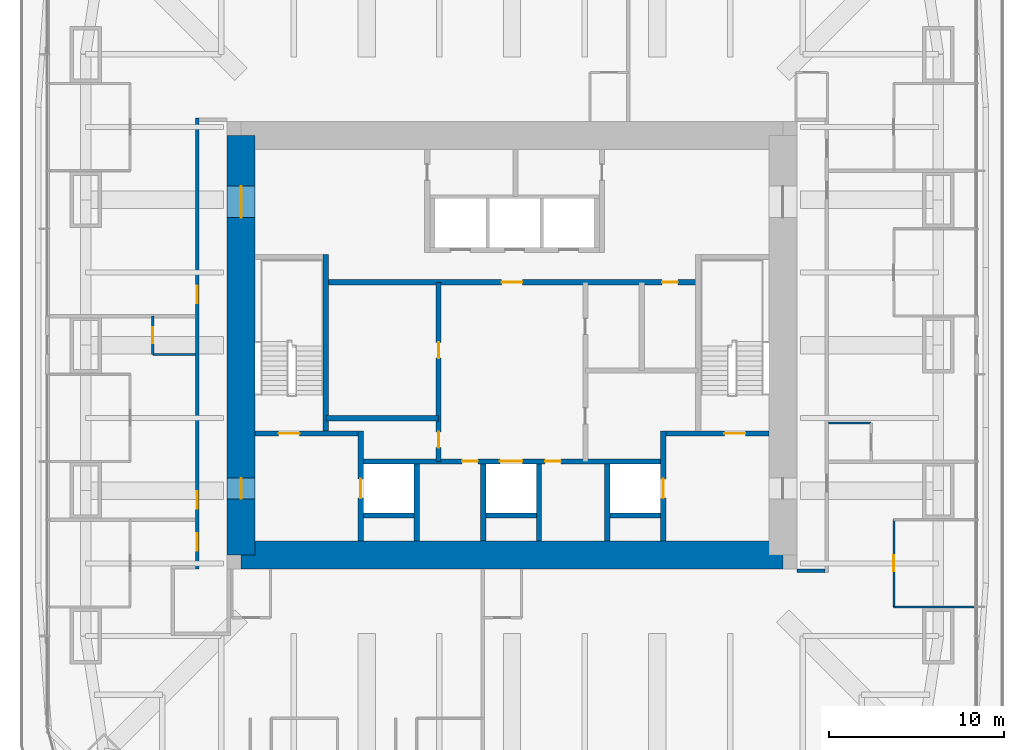
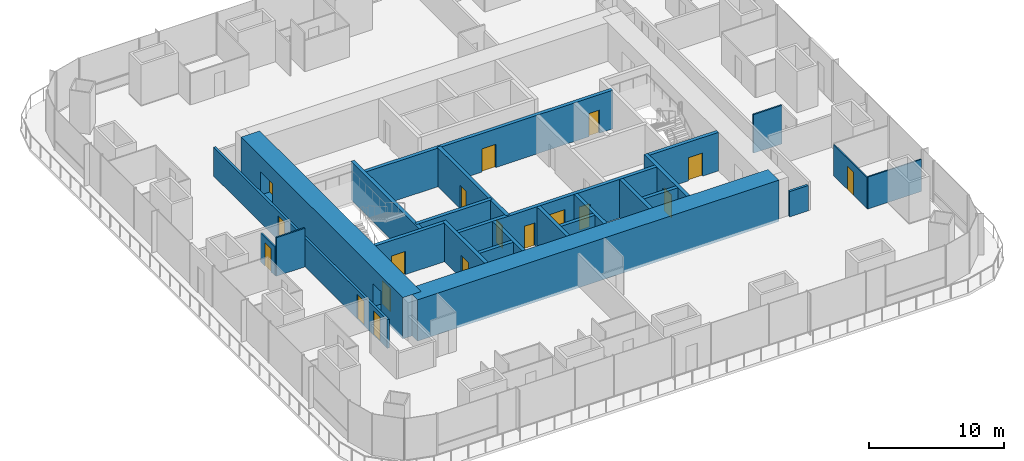
# One storey, part 9 of 15: 25 walls, 18 doors, 18 openings.
"""IFC4 building model written with IfcOpenShell, lengths in metres."""

from ifc_helpers import new_model, si_unit, direction, frame, frame_2d, origin, place, context, subcontext, project, spatial, rectangle, extrude, material, layer, layer_set, type_object, element, fill, save


model = new_model("IFC4")

# Units and contexts
model_context = context("Model", 3, precision=1e-05, world=origin(), true_north=direction((0.0, 1.0)))
body_context = subcontext(model_context, "Body", "Model", "MODEL_VIEW")
ifc_project = project(units=[si_unit("LENGTHUNIT", "METRE"), si_unit("AREAUNIT", "SQUARE_METRE"), si_unit("VOLUMEUNIT", "CUBIC_METRE"), si_unit("PLANEANGLEUNIT", "RADIAN"), si_unit("MASSUNIT", "GRAM", prefix="KILO")], contexts=[model_context])

# Site, building, storey
site_placement = place(None, origin())
site = spatial("IfcSite", under=ifc_project, at=site_placement, CompositionType="ELEMENT")
building_placement = place(site_placement, origin())
building = spatial("IfcBuilding", under=site, at=building_placement, Name="Khuree Lantern Residences", CompositionType="ELEMENT")
storey_placement = place(building_placement, frame((0.0, 0.0, 199.5)))
storey = spatial("IfcBuildingStorey", under=building, at=storey_placement, Name="L49", CompositionType="ELEMENT", Elevation=199.5)

# Wall
ifc_material_1 = material(Name="Moisture-resistant gypsum board on steel studs", Category="steel")
ifc_layer_1 = layer(ifc_material_1, 0.125)
ifc_layer_set_1 = layer_set([ifc_layer_1], Name="BATHROOM WALL BTW125")
wall_type_1 = type_object("IfcWallType", Name="BATHROOM WALL BTW125", PredefinedType="PARTITIONING", material=ifc_layer_set_1)
wall_1_placement = place(storey_placement, frame((18.10009765625, -4.4560546875, 0.0), z_axis=(0.0, 0.0, 1.0), x_axis=(1.0, 0.0, 0.0)))
element("IfcWall", 1, at=wall_1_placement, inside=storey, type_object=wall_type_1, Name="L49 BATHROOM WALL 01", PredefinedType="PARTITIONING", context=body_context, shape_type="SweptSolid", body=[
    extrude(rectangle(XDim=2.449951171875, YDim=0.125, at=frame_2d((1.22509765625, 0.0))), origin(), (0.0, 0.0, 1.0), 3.5),
])

# Wall, opening, door
wall_2_placement = place(storey_placement, frame((-20.550048828125, 1.6640625, 0.0), z_axis=(0.0, 0.0, 1.0), x_axis=(0.0, -1.0, 0.0)))
wall_2 = element("IfcWall", 2, at=wall_2_placement, inside=storey, type_object=wall_type_1, Name="L49 BATHROOM WALL 04", PredefinedType="PARTITIONING", context=body_context, shape_type="SweptSolid", body=[
    extrude(rectangle(XDim=2.199951171875, YDim=0.125, at=frame_2d((1.10009765625, 0.0))), origin(), (0.0, 0.0, 1.0), 2.60009765625),
])
opening_1_placement = place(wall_2_placement, frame((0.64990234375, 0.0, 0.0)))
opening_1 = element("IfcOpeningElement", 3, at=opening_1_placement, cuts=wall_2, Name="Opening 49-038", PredefinedType="OPENING", context=body_context, shape_type="SweptSolid", body=[
    extrude(rectangle(XDim=0.89990234375, YDim=2.10009765625, at=frame_2d((0.449951171875, 1.050048828125))), frame((0.0, 0.072509765625, 0.0), z_axis=(0.0, -1.0, 0.0), x_axis=(1.0, 0.0, 0.0)), (0.0, 0.0, 1.0), 0.14501953125),
])
ifc_material_2 = material(Name="Timber door leaf in hardwood frame", Category="wood")
door_type_1 = type_object("IfcDoorType", Name="BATHROOM DOOR 900X2100", OperationType="SINGLE_SWING_LEFT", PredefinedType="DOOR", material=ifc_material_2)
door_1_placement = place(opening_1_placement, origin())
door_1 = element("IfcDoor", 4, at=door_1_placement, inside=storey, type_object=door_type_1, Name="Bathroom door 49-038", OperationType="SINGLE_SWING_LEFT", OverallHeight=2.10009765625, OverallWidth=0.89990234375, PredefinedType="DOOR", context=body_context, shape_type="SweptSolid", body=[
    extrude(rectangle(XDim=0.89990234375, YDim=2.10009765625, at=frame_2d((0.449951171875, 1.050048828125))), frame((0.0, 0.02490234375, 0.0), z_axis=(0.0, -1.0, 0.0), x_axis=(1.0, 0.0, 0.0)), (0.0, 0.0, 1.0), 0.050048828125),
])
fill(opening_1, door_1)

# Wall
wall_3_placement = place(storey_placement, frame((-18.10009765625, -0.535888671875, 0.0), z_axis=(0.0, 0.0, 1.0), x_axis=(-1.0, 0.0, 0.0)))
element("IfcWall", 5, at=wall_3_placement, inside=storey, type_object=wall_type_1, Name="L49 BATHROOM WALL 04", PredefinedType="PARTITIONING", context=body_context, shape_type="SweptSolid", body=[
    extrude(rectangle(XDim=2.449951171875, YDim=0.125, at=frame_2d((1.22509765625, 0.0))), origin(), (0.0, 0.0, 1.0), 3.5),
])

# Wall, opening, door
ifc_material_3 = material(Name="Dense concrete blockwork", Category="masonry")
ifc_layer_2 = layer(ifc_material_3, 0.300048828125)
ifc_layer_set_2 = layer_set([ifc_layer_2], Name="CORE PARTITION WALL CPW300 EI 120")
wall_type_2 = type_object("IfcWallType", Name="CORE PARTITION WALL CPW300 EI 120", PredefinedType="PARTITIONING", material=ifc_layer_set_2)
wall_4_placement = place(storey_placement, frame((-8.64990234375, -11.199951171875, 0.0), z_axis=(0.0, 0.0, 1.0), x_axis=(0.0, 1.0, 0.0)))
wall_4 = element("IfcWall", 6, at=wall_4_placement, inside=storey, type_object=wall_type_2, Name="L49 CORE WALL FL1W", PredefinedType="PARTITIONING", context=body_context, shape_type="SweptSolid", body=[
    extrude(rectangle(XDim=6.300048828125, YDim=0.300048828125, at=frame_2d((3.14990234375, 0.0))), origin(), (0.0, 0.0, 1.0), 3.5),
])
opening_2_placement = place(wall_4_placement, frame((2.449951171875, 0.0, 0.0)))
opening_2 = element("IfcOpeningElement", 7, at=opening_2_placement, cuts=wall_4, Name="Opening 49-007", PredefinedType="OPENING", context=body_context, shape_type="SweptSolid", body=[
    extrude(rectangle(XDim=1.10009765625, YDim=2.10009765625, at=frame_2d((0.550048828125, 1.050048828125))), frame((0.0, 0.16015625, 0.0), z_axis=(0.0, -1.0, 0.0), x_axis=(1.0, 0.0, 0.0)), (0.0, 0.0, 1.0), 0.320068359375),
])
ifc_material_4 = material(Name="Stainless steel lift landing door", Category="steel")
door_type_2 = type_object("IfcDoorType", Name="LIFT LANDING DOOR 1100X2100 E 120", OperationType="DOUBLE_DOOR_SLIDING", PredefinedType="DOOR", material=ifc_material_4)
door_2_placement = place(opening_2_placement, origin())
door_2 = element("IfcDoor", 8, at=door_2_placement, inside=storey, type_object=door_type_2, Name="Landing door FL1 49-007", OperationType="DOUBLE_DOOR_SLIDING", OverallHeight=2.10009765625, OverallWidth=1.10009765625, PredefinedType="DOOR", context=body_context, shape_type="SweptSolid", body=[
    extrude(rectangle(XDim=1.10009765625, YDim=2.10009765625, at=frame_2d((0.550048828125, 1.050048828125))), frame((0.0, 0.02490234375, 0.0), z_axis=(0.0, -1.0, 0.0), x_axis=(1.0, 0.0, 0.0)), (0.0, 0.0, 1.0), 0.050048828125),
])
fill(opening_2, door_2)

wall_5_placement = place(storey_placement, frame((8.64990234375, -11.199951171875, 0.0), z_axis=(0.0, 0.0, 1.0), x_axis=(0.0, 1.0, 0.0)))
wall_5 = element("IfcWall", 9, at=wall_5_placement, inside=storey, type_object=wall_type_2, Name="L49 CORE WALL FL2E", PredefinedType="PARTITIONING", context=body_context, shape_type="SweptSolid", body=[
    extrude(rectangle(XDim=6.300048828125, YDim=0.300048828125, at=frame_2d((3.14990234375, 0.0))), origin(), (0.0, 0.0, 1.0), 3.5),
])
opening_3_placement = place(wall_5_placement, frame((2.449951171875, 0.0, 0.0)))
opening_3 = element("IfcOpeningElement", 10, at=opening_3_placement, cuts=wall_5, Name="Opening 49-008", PredefinedType="OPENING", context=body_context, shape_type="SweptSolid", body=[
    extrude(rectangle(XDim=1.10009765625, YDim=2.10009765625, at=frame_2d((0.550048828125, 1.050048828125))), frame((0.0, 0.16015625, 0.0), z_axis=(0.0, -1.0, 0.0), x_axis=(1.0, 0.0, 0.0)), (0.0, 0.0, 1.0), 0.320068359375),
])
door_3_placement = place(opening_3_placement, origin())
door_3 = element("IfcDoor", 11, at=door_3_placement, inside=storey, type_object=door_type_2, Name="Landing door FL2 49-008", OperationType="DOUBLE_DOOR_SLIDING", OverallHeight=2.10009765625, OverallWidth=1.10009765625, PredefinedType="DOOR", context=body_context, shape_type="SweptSolid", body=[
    extrude(rectangle(XDim=1.10009765625, YDim=2.10009765625, at=frame_2d((0.550048828125, 1.050048828125))), frame((0.0, 0.02490234375, 0.0), z_axis=(0.0, -1.0, 0.0), x_axis=(1.0, 0.0, 0.0)), (0.0, 0.0, 1.0), 0.050048828125),
])
fill(opening_3, door_3)

# Wall, openings, doors
wall_6_placement = place(storey_placement, frame((-8.5, -6.64990234375, 0.0), z_axis=(0.0, 0.0, 1.0), x_axis=(1.0, 0.0, 0.0)))
wall_6 = element("IfcWall", 12, at=wall_6_placement, inside=storey, type_object=wall_type_2, Name="L49 CORE WALL FLROW", PredefinedType="PARTITIONING", context=body_context, shape_type="SweptSolid", body=[
    extrude(rectangle(XDim=17.0, YDim=0.300048828125, at=frame_2d((8.5, 0.0))), origin(), (0.0, 0.0, 1.0), 3.5),
])
opening_4_placement = place(wall_6_placement, frame((7.800048828125, 0.0, 0.0)))
opening_4 = element("IfcOpeningElement", 13, at=opening_4_placement, cuts=wall_6, Name="Opening 49-012", PredefinedType="OPENING", context=body_context, shape_type="SweptSolid", body=[
    extrude(rectangle(XDim=1.300048828125, YDim=2.39990234375, at=frame_2d((0.64990234375, 1.199951171875))), frame((0.0, 0.16015625, 0.0), z_axis=(0.0, -1.0, 0.0), x_axis=(1.0, 0.0, 0.0)), (0.0, 0.0, 1.0), 0.320068359375),
])
opening_5_placement = place(wall_6_placement, frame((5.64990234375, 0.0, 0.0)))
opening_5 = element("IfcOpeningElement", 14, at=opening_5_placement, cuts=wall_6, Name="Opening 49-014", PredefinedType="OPENING", context=body_context, shape_type="SweptSolid", body=[
    extrude(rectangle(XDim=0.89990234375, YDim=2.10009765625, at=frame_2d((0.449951171875, 1.050048828125))), frame((0.0, 0.16015625, 0.0), z_axis=(0.0, -1.0, 0.0), x_axis=(1.0, 0.0, 0.0)), (0.0, 0.0, 1.0), 0.320068359375),
])
opening_6_placement = place(wall_6_placement, frame((10.39990234375, 0.0, 0.0)))
opening_6 = element("IfcOpeningElement", 15, at=opening_6_placement, cuts=wall_6, Name="Opening 49-015", PredefinedType="OPENING", context=body_context, shape_type="SweptSolid", body=[
    extrude(rectangle(XDim=0.89990234375, YDim=2.10009765625, at=frame_2d((0.449951171875, 1.050048828125))), frame((0.0, 0.16015625, 0.0), z_axis=(0.0, -1.0, 0.0), x_axis=(1.0, 0.0, 0.0)), (0.0, 0.0, 1.0), 0.320068359375),
])
ifc_material_5 = material(Name="Steel door leaf in steel frame", Category="steel")
door_type_3 = type_object("IfcDoorType", Name="DOOR 900X2100 EI 60", OperationType="SINGLE_SWING_LEFT", PredefinedType="DOOR", material=ifc_material_5)
door_4_placement = place(opening_5_placement, origin())
door_4 = element("IfcDoor", 16, at=door_4_placement, inside=storey, type_object=door_type_3, Name="Refuse chute room door 49-014", OperationType="SINGLE_SWING_LEFT", OverallHeight=2.10009765625, OverallWidth=0.89990234375, PredefinedType="DOOR", context=body_context, shape_type="SweptSolid", body=[
    extrude(rectangle(XDim=0.89990234375, YDim=2.10009765625, at=frame_2d((0.449951171875, 1.050048828125))), frame((0.0, 0.02490234375, 0.0), z_axis=(0.0, -1.0, 0.0), x_axis=(1.0, 0.0, 0.0)), (0.0, 0.0, 1.0), 0.050048828125),
])
fill(opening_5, door_4)
door_type_4 = type_object("IfcDoorType", Name="DOOR 900X2100 EI 60 RIGHT HAND", OperationType="SINGLE_SWING_RIGHT", PredefinedType="DOOR", material=ifc_material_5)
door_5_placement = place(opening_6_placement, origin())
door_5 = element("IfcDoor", 17, at=door_5_placement, inside=storey, type_object=door_type_4, Name="Electrical and plumbing riser door 49-015", OperationType="SINGLE_SWING_RIGHT", OverallHeight=2.10009765625, OverallWidth=0.89990234375, PredefinedType="DOOR", context=body_context, shape_type="SweptSolid", body=[
    extrude(rectangle(XDim=0.89990234375, YDim=2.10009765625, at=frame_2d((0.449951171875, 1.050048828125))), frame((0.0, 0.02490234375, 0.0), z_axis=(0.0, -1.0, 0.0), x_axis=(1.0, 0.0, 0.0)), (0.0, 0.0, 1.0), 0.050048828125),
])
fill(opening_6, door_5)
door_type_5 = type_object("IfcDoorType", Name="LIFT LANDING DOOR 1300X2400 E 60", OperationType="DOUBLE_DOOR_SLIDING", PredefinedType="DOOR", material=ifc_material_4)
door_6_placement = place(opening_4_placement, origin())
door_6 = element("IfcDoor", 18, at=door_6_placement, inside=storey, type_object=door_type_5, Name="Landing door SL1 49-012", OperationType="DOUBLE_DOOR_SLIDING", OverallHeight=2.39990234375, OverallWidth=1.300048828125, PredefinedType="DOOR", context=body_context, shape_type="SweptSolid", body=[
    extrude(rectangle(XDim=1.300048828125, YDim=2.39990234375, at=frame_2d((0.64990234375, 1.199951171875))), frame((0.0, 0.02490234375, 0.0), z_axis=(0.0, -1.0, 0.0), x_axis=(1.0, 0.0, 0.0)), (0.0, 0.0, 1.0), 0.050048828125),
])
fill(opening_4, door_6)

# Walls
for number, where, z_axis, x_axis, name in (
    (19, (-5.449951171875, -11.199951171875, 0.0), (0.0, 0.0, 1.0), (0.0, 1.0, 0.0), "L49 CORE WALL FL1E"),
    (20, (-1.64990234375, -11.199951171875, 0.0), (0.0, 0.0, 1.0), (0.0, 1.0, 0.0), "L49 CORE WALL SL1W"),
    (21, (1.550048828125, -11.199951171875, 0.0), (0.0, 0.0, 1.0), (0.0, 1.0, 0.0), "L49 CORE WALL SL1E"),
    (22, (5.449951171875, -11.199951171875, 0.0), (0.0, 0.0, 1.0), (0.0, 1.0, 0.0), "L49 CORE WALL FL2W"),
):
    element("IfcWall", number, at=place(storey_placement, frame(where, z_axis=z_axis, x_axis=x_axis)), inside=storey, type_object=wall_type_2, Name=name, PredefinedType="PARTITIONING", context=body_context, shape_type="SweptSolid", body=[
        extrude(rectangle(XDim=4.39990234375, YDim=0.300048828125, at=frame_2d((2.199951171875, 0.0))), origin(), (0.0, 0.0, 1.0), 3.5),
    ])
for number, where, z_axis, x_axis, name in (
    (23, (-8.5, -9.75, 0.0), (0.0, 0.0, 1.0), (1.0, 0.0, 0.0), "L49 CORE WALL FL1S"),
    (24, (-1.5, -9.75, 0.0), (0.0, 0.0, 1.0), (1.0, 0.0, 0.0), "L49 CORE WALL SL1S"),
    (25, (5.60009765625, -9.75, 0.0), (0.0, 0.0, 1.0), (1.0, 0.0, 0.0), "L49 CORE WALL FL2S"),
):
    element("IfcWall", number, at=place(storey_placement, frame(where, z_axis=z_axis, x_axis=x_axis)), inside=storey, type_object=wall_type_2, Name=name, PredefinedType="PARTITIONING", context=body_context, shape_type="SweptSolid", body=[
        extrude(rectangle(XDim=2.89990234375, YDim=0.300048828125, at=frame_2d((1.449951171875, 0.0))), origin(), (0.0, 0.0, 1.0), 3.5),
    ])

# Wall, openings, doors
wall_7_placement = place(storey_placement, frame((-10.64990234375, 3.60009765625, 0.0), z_axis=(0.0, 0.0, 1.0), x_axis=(1.0, 0.0, 0.0)))
wall_7 = element("IfcWall", 26, at=wall_7_placement, inside=storey, type_object=wall_type_2, Name="L49 CORE WALL LLS", PredefinedType="PARTITIONING", context=body_context, shape_type="SweptSolid", body=[
    extrude(rectangle(XDim=21.2998046875, YDim=0.300048828125, at=frame_2d((10.64990234375, 0.0))), origin(), (0.0, 0.0, 1.0), 3.5),
])
opening_7_placement = place(wall_7_placement, frame((10.050048828125, 0.0, 0.0)))
opening_7 = element("IfcOpeningElement", 27, at=opening_7_placement, cuts=wall_7, Name="Opening 49-013", PredefinedType="OPENING", context=body_context, shape_type="SweptSolid", body=[
    extrude(rectangle(XDim=1.199951171875, YDim=2.10009765625, at=frame_2d((0.60009765625, 1.050048828125))), frame((0.0, 0.16015625, 0.0), z_axis=(0.0, -1.0, 0.0), x_axis=(1.0, 0.0, 0.0)), (0.0, 0.0, 1.0), 0.320068359375),
])
opening_8_placement = place(wall_7_placement, frame((19.238037109375, 0.0, 0.0)))
opening_8 = element("IfcOpeningElement", 28, at=opening_8_placement, cuts=wall_7, Name="Opening 49-020", PredefinedType="OPENING", context=body_context, shape_type="SweptSolid", body=[
    extrude(rectangle(XDim=0.89990234375, YDim=2.10009765625, at=frame_2d((0.449951171875, 1.050048828125))), frame((0.0, 0.16015625, 0.0), z_axis=(0.0, -1.0, 0.0), x_axis=(1.0, 0.0, 0.0)), (0.0, 0.0, 1.0), 0.320068359375),
])
door_type_6 = type_object("IfcDoorType", Name="DOOR 1200X2100 EI 60", OperationType="SINGLE_SWING_LEFT", PredefinedType="DOOR", material=ifc_material_5)
door_7_placement = place(opening_7_placement, origin())
door_7 = element("IfcDoor", 29, at=door_7_placement, inside=storey, type_object=door_type_6, Name="Service lift lobby door 49-013", OperationType="SINGLE_SWING_LEFT", OverallHeight=2.10009765625, OverallWidth=1.199951171875, PredefinedType="DOOR", context=body_context, shape_type="SweptSolid", body=[
    extrude(rectangle(XDim=1.199951171875, YDim=2.10009765625, at=frame_2d((0.60009765625, 1.050048828125))), frame((0.0, 0.02490234375, 0.0), z_axis=(0.0, -1.0, 0.0), x_axis=(1.0, 0.0, 0.0)), (0.0, 0.0, 1.0), 0.050048828125),
])
fill(opening_7, door_7)
door_type_7 = type_object("IfcDoorType", Name="DOOR 900X2100 RIGHT HAND", OperationType="SINGLE_SWING_RIGHT", PredefinedType="DOOR", material=ifc_material_2)
door_8_placement = place(opening_8_placement, origin())
door_8 = element("IfcDoor", 30, at=door_8_placement, inside=storey, type_object=door_type_7, Name="Refuse holding room door 49-020", OperationType="SINGLE_SWING_RIGHT", OverallHeight=2.10009765625, OverallWidth=0.89990234375, PredefinedType="DOOR", context=body_context, shape_type="SweptSolid", body=[
    extrude(rectangle(XDim=0.89990234375, YDim=2.10009765625, at=frame_2d((0.449951171875, 1.050048828125))), frame((0.0, 0.02490234375, 0.0), z_axis=(0.0, -1.0, 0.0), x_axis=(1.0, 0.0, 0.0)), (0.0, 0.0, 1.0), 0.050048828125),
])
fill(opening_8, door_8)

wall_8_placement = place(storey_placement, frame((-4.199951171875, -6.64990234375, 0.0), z_axis=(0.0, 0.0, 1.0), x_axis=(0.0, 1.0, 0.0)))
wall_8 = element("IfcWall", 31, at=wall_8_placement, inside=storey, type_object=wall_type_2, Name="L49 CORE WALL SVW", PredefinedType="PARTITIONING", context=body_context, shape_type="SweptSolid", body=[
    extrude(rectangle(XDim=10.25, YDim=0.300048828125, at=frame_2d((5.125, 0.0))), origin(), (0.0, 0.0, 1.0), 3.5),
])
opening_9_placement = place(wall_8_placement, frame((0.787109375, 0.0, 0.0)))
opening_9 = element("IfcOpeningElement", 32, at=opening_9_placement, cuts=wall_8, Name="Opening 49-016", PredefinedType="OPENING", context=body_context, shape_type="SweptSolid", body=[
    extrude(rectangle(XDim=0.89990234375, YDim=2.10009765625, at=frame_2d((0.449951171875, 1.050048828125))), frame((0.0, 0.16015625, 0.0), z_axis=(0.0, -1.0, 0.0), x_axis=(1.0, 0.0, 0.0)), (0.0, 0.0, 1.0), 0.320068359375),
])
opening_10_placement = place(wall_8_placement, frame((5.912109375, 0.0, 0.0)))
opening_10 = element("IfcOpeningElement", 33, at=opening_10_placement, cuts=wall_8, Name="Opening 49-017", PredefinedType="OPENING", context=body_context, shape_type="SweptSolid", body=[
    extrude(rectangle(XDim=0.89990234375, YDim=2.10009765625, at=frame_2d((0.449951171875, 1.050048828125))), frame((0.0, 0.16015625, 0.0), z_axis=(0.0, -1.0, 0.0), x_axis=(1.0, 0.0, 0.0)), (0.0, 0.0, 1.0), 0.320068359375),
])
door_type_8 = type_object("IfcDoorType", Name="DOOR 900X2100", OperationType="SINGLE_SWING_LEFT", PredefinedType="DOOR", material=ifc_material_2)
door_9_placement = place(opening_9_placement, origin())
door_9 = element("IfcDoor", 34, at=door_9_placement, inside=storey, type_object=door_type_8, Name="Housekeeping store door 49-016", OperationType="SINGLE_SWING_LEFT", OverallHeight=2.10009765625, OverallWidth=0.89990234375, PredefinedType="DOOR", context=body_context, shape_type="SweptSolid", body=[
    extrude(rectangle(XDim=0.89990234375, YDim=2.10009765625, at=frame_2d((0.449951171875, 1.050048828125))), frame((0.0, 0.02490234375, 0.0), z_axis=(0.0, -1.0, 0.0), x_axis=(1.0, 0.0, 0.0)), (0.0, 0.0, 1.0), 0.050048828125),
])
fill(opening_9, door_9)
door_10_placement = place(opening_10_placement, origin())
door_10 = element("IfcDoor", 35, at=door_10_placement, inside=storey, type_object=door_type_8, Name="Residents' store door 49-017", OperationType="SINGLE_SWING_LEFT", OverallHeight=2.10009765625, OverallWidth=0.89990234375, PredefinedType="DOOR", context=body_context, shape_type="SweptSolid", body=[
    extrude(rectangle(XDim=0.89990234375, YDim=2.10009765625, at=frame_2d((0.449951171875, 1.050048828125))), frame((0.0, 0.02490234375, 0.0), z_axis=(0.0, -1.0, 0.0), x_axis=(1.0, 0.0, 0.0)), (0.0, 0.0, 1.0), 0.050048828125),
])
fill(opening_10, door_10)

# Walls
wall_9_placement = place(storey_placement, frame((-10.64990234375, -4.177001953125, 0.0), z_axis=(0.0, 0.0, 1.0), x_axis=(1.0, 0.0, 0.0)))
element("IfcWall", 36, at=wall_9_placement, inside=storey, type_object=wall_type_2, Name="L49 CORE WALL WX", PredefinedType="PARTITIONING", context=body_context, shape_type="SweptSolid", body=[
    extrude(rectangle(XDim=6.449951171875, YDim=0.300048828125, at=frame_2d((3.22509765625, 0.0))), origin(), (0.0, 0.0, 1.0), 3.5),
])
ifc_material_6 = material(Name="Gypsum board on steel studs", Category="steel")
ifc_layer_3 = layer(ifc_material_6, 0.199951171875)
ifc_layer_set_3 = layer_set([ifc_layer_3], Name="CORRIDOR WALL CRW200 EI 60")
wall_type_3 = type_object("IfcWallType", Name="CORRIDOR WALL CRW200 EI 60", PredefinedType="PARTITIONING", material=ifc_layer_set_3)
wall_10_placement = place(storey_placement, frame((16.300048828125, -12.89990234375, 0.0), z_axis=(0.0, 0.0, 1.0), x_axis=(1.0, 0.0, 0.0)))
element("IfcWall", 37, at=wall_10_placement, inside=storey, type_object=wall_type_3, Name="L49 EAST CORRIDOR SOUTH END WALL", PredefinedType="PARTITIONING", context=body_context, shape_type="SweptSolid", body=[
    extrude(rectangle(XDim=1.599853515625, YDim=0.199951171875, at=frame_2d((0.7998046875, 0.0))), origin(), (0.0, 0.0, 1.0), 2.300048828125),
])

# Wall, openings, doors
wall_11_placement = place(storey_placement, frame((-18.0, 13.0, 0.0), z_axis=(0.0, 0.0, 1.0), x_axis=(0.0, -1.0, 0.0)))
wall_11 = element("IfcWall", 38, at=wall_11_placement, inside=storey, type_object=wall_type_3, Name="L49 CORRIDOR WALL WEST 1", PredefinedType="PARTITIONING", context=body_context, shape_type="SweptSolid", body=[
    extrude(rectangle(XDim=25.800048828125, YDim=0.199951171875, at=frame_2d((12.89990234375, 0.0))), origin(), (0.0, 0.0, 1.0), 2.60009765625),
])
opening_11_placement = place(wall_11_placement, frame((9.60009765625, 0.0, 0.0)))
opening_11 = element("IfcOpeningElement", 39, at=opening_11_placement, cuts=wall_11, Name="Opening 49-036", PredefinedType="OPENING", context=body_context, shape_type="SweptSolid", body=[
    extrude(rectangle(XDim=1.0, YDim=2.199951171875, at=frame_2d((0.5, 1.10009765625))), frame((0.0, 0.10986328125, 0.0), z_axis=(0.0, -1.0, 0.0), x_axis=(1.0, 0.0, 0.0)), (0.0, 0.0, 1.0), 0.219970703125),
])
opening_12_placement = place(wall_11_placement, frame((21.35595703125, 0.0, 0.0)))
opening_12 = element("IfcOpeningElement", 40, at=opening_12_placement, cuts=wall_11, Name="Opening 49-039", PredefinedType="OPENING", context=body_context, shape_type="SweptSolid", body=[
    extrude(rectangle(XDim=1.0, YDim=2.199951171875, at=frame_2d((0.5, 1.10009765625))), frame((0.0, 0.10986328125, 0.0), z_axis=(0.0, -1.0, 0.0), x_axis=(1.0, 0.0, 0.0)), (0.0, 0.0, 1.0), 0.219970703125),
])
opening_13_placement = place(wall_11_placement, frame((23.75390625, 0.0, 0.0)))
opening_13 = element("IfcOpeningElement", 41, at=opening_13_placement, cuts=wall_11, Name="Opening 49-046", PredefinedType="OPENING", context=body_context, shape_type="SweptSolid", body=[
    extrude(rectangle(XDim=1.0, YDim=2.199951171875, at=frame_2d((0.5, 1.10009765625))), frame((0.0, 0.10986328125, 0.0), z_axis=(0.0, -1.0, 0.0), x_axis=(1.0, 0.0, 0.0)), (0.0, 0.0, 1.0), 0.219970703125),
])
door_type_9 = type_object("IfcDoorType", Name="APARTMENT ENTRANCE DOOR 1000X2200 EI 30S", OperationType="SINGLE_SWING_LEFT", PredefinedType="DOOR", material=ifc_material_2)
door_11_placement = place(opening_11_placement, origin())
door_11 = element("IfcDoor", 42, at=door_11_placement, inside=storey, type_object=door_type_9, Name="Apartment 03 entrance door 49-036", OperationType="SINGLE_SWING_LEFT", OverallHeight=2.199951171875, OverallWidth=1.0, PredefinedType="DOOR", context=body_context, shape_type="SweptSolid", body=[
    extrude(rectangle(XDim=1.0, YDim=2.199951171875, at=frame_2d((0.5, 1.10009765625))), frame((0.0, 0.02490234375, 0.0), z_axis=(0.0, -1.0, 0.0), x_axis=(1.0, 0.0, 0.0)), (0.0, 0.0, 1.0), 0.050048828125),
])
fill(opening_11, door_11)
door_12_placement = place(opening_12_placement, origin())
door_12 = element("IfcDoor", 43, at=door_12_placement, inside=storey, type_object=door_type_9, Name="Apartment 04 entrance door 49-039", OperationType="SINGLE_SWING_LEFT", OverallHeight=2.199951171875, OverallWidth=1.0, PredefinedType="DOOR", context=body_context, shape_type="SweptSolid", body=[
    extrude(rectangle(XDim=1.0, YDim=2.199951171875, at=frame_2d((0.5, 1.10009765625))), frame((0.0, 0.02490234375, 0.0), z_axis=(0.0, -1.0, 0.0), x_axis=(1.0, 0.0, 0.0)), (0.0, 0.0, 1.0), 0.050048828125),
])
fill(opening_12, door_12)
door_13_placement = place(opening_13_placement, origin())
door_13 = element("IfcDoor", 44, at=door_13_placement, inside=storey, type_object=door_type_9, Name="Apartment 05 entrance door 49-046", OperationType="SINGLE_SWING_LEFT", OverallHeight=2.199951171875, OverallWidth=1.0, PredefinedType="DOOR", context=body_context, shape_type="SweptSolid", body=[
    extrude(rectangle(XDim=1.0, YDim=2.199951171875, at=frame_2d((0.5, 1.10009765625))), frame((0.0, 0.02490234375, 0.0), z_axis=(0.0, -1.0, 0.0), x_axis=(1.0, 0.0, 0.0)), (0.0, 0.0, 1.0), 0.050048828125),
])
fill(opening_13, door_13)

# Wall
ifc_material_7 = material(Name="Concrete C50/60", Category="concrete")
ifc_layer_4 = layer(ifc_material_7, 1.60009765625)
ifc_layer_set_4 = layer_set([ifc_layer_4], Name="CW1600-C50 CORE WALL C50 1600")
wall_type_4 = type_object("IfcWallType", Name="CW1600-C50 CORE WALL C50 1600", PredefinedType="SHEAR", material=ifc_layer_set_4)
wall_12_placement = place(storey_placement, frame((-15.5, -12.0, -0.25), z_axis=(0.0, 0.0, 1.0), x_axis=(1.0, 0.0, 0.0)))
element("IfcWall", 45, at=wall_12_placement, inside=storey, type_object=wall_type_4, Name="Core wall S", PredefinedType="SHEAR", context=body_context, shape_type="SweptSolid", body=[
    extrude(rectangle(XDim=31.0, YDim=1.60009765625, at=frame_2d((15.5, 0.0))), origin(), (0.0, 0.0, 1.0), 3.75),
])

# Wall, openings, doors
wall_13_placement = place(storey_placement, frame((-15.5, -12.0, -0.25), z_axis=(0.0, 0.0, 1.0), x_axis=(0.0, 1.0, 0.0)))
wall_13 = element("IfcWall", 46, at=wall_13_placement, inside=storey, type_object=wall_type_4, Name="Core wall W", PredefinedType="SHEAR", context=body_context, shape_type="SweptSolid", body=[
    extrude(rectangle(XDim=24.0, YDim=1.60009765625, at=frame_2d((12.0, 0.0))), origin(), (0.0, 0.0, 1.0), 3.75),
])
opening_14_placement = place(wall_13_placement, frame((3.199951171875, 0.0, 0.25)))
opening_14 = element("IfcOpeningElement", 47, at=opening_14_placement, cuts=wall_13, Name="Opening 49-002", PredefinedType="OPENING", context=body_context, shape_type="SweptSolid", body=[
    extrude(rectangle(XDim=1.199951171875, YDim=2.10009765625, at=frame_2d((0.60009765625, 1.050048828125))), frame((0.0, 0.81005859375, 0.0), z_axis=(0.0, -1.0, 0.0), x_axis=(1.0, 0.0, 0.0)), (0.0, 0.0, 1.0), 1.6201171875),
])
opening_15_placement = place(wall_13_placement, frame((19.300048828125, 0.0, 0.25)))
opening_15 = element("IfcOpeningElement", 48, at=opening_15_placement, cuts=wall_13, Name="Opening 49-003", PredefinedType="OPENING", context=body_context, shape_type="SweptSolid", body=[
    extrude(rectangle(XDim=1.800048828125, YDim=2.10009765625, at=frame_2d((0.89990234375, 1.050048828125))), frame((0.0, 0.81005859375, 0.0), z_axis=(0.0, -1.0, 0.0), x_axis=(1.0, 0.0, 0.0)), (0.0, 0.0, 1.0), 1.6201171875),
])
door_type_10 = type_object("IfcDoorType", Name="LOBBY DOOR 1200X2100 EI 120", OperationType="SINGLE_SWING_LEFT", PredefinedType="DOOR", material=ifc_material_5)
door_14_placement = place(opening_14_placement, origin())
door_14 = element("IfcDoor", 49, at=door_14_placement, inside=storey, type_object=door_type_10, Name="Firefighting lobby door 49-002", OperationType="SINGLE_SWING_LEFT", OverallHeight=2.10009765625, OverallWidth=1.199951171875, PredefinedType="DOOR", context=body_context, shape_type="SweptSolid", body=[
    extrude(rectangle(XDim=1.199951171875, YDim=2.10009765625, at=frame_2d((0.60009765625, 1.050048828125))), frame((0.0, 0.02490234375, 0.0), z_axis=(0.0, -1.0, 0.0), x_axis=(1.0, 0.0, 0.0)), (0.0, 0.0, 1.0), 0.050048828125),
])
fill(opening_14, door_14)
door_type_11 = type_object("IfcDoorType", Name="LOBBY DOUBLE DOOR 1800X2100 EI 60", OperationType="DOUBLE_DOOR_SINGLE_SWING", PredefinedType="DOOR", material=ifc_material_5)
door_15_placement = place(opening_15_placement, origin())
door_15 = element("IfcDoor", 50, at=door_15_placement, inside=storey, type_object=door_type_11, Name="Lift lobby door 49-003", OperationType="DOUBLE_DOOR_SINGLE_SWING", OverallHeight=2.10009765625, OverallWidth=1.800048828125, PredefinedType="DOOR", context=body_context, shape_type="SweptSolid", body=[
    extrude(rectangle(XDim=1.800048828125, YDim=2.10009765625, at=frame_2d((0.89990234375, 1.050048828125))), frame((0.0, 0.02490234375, 0.0), z_axis=(0.0, -1.0, 0.0), x_axis=(1.0, 0.0, 0.0)), (0.0, 0.0, 1.0), 0.050048828125),
])
fill(opening_15, door_15)

# Wall
ifc_layer_5 = layer(ifc_material_6, 0.10009765625)
ifc_layer_set_5 = layer_set([ifc_layer_5], Name="PARTITION PT100")
wall_type_5 = type_object("IfcWallType", Name="PARTITION PT100", PredefinedType="PARTITIONING", material=ifc_layer_set_5)
wall_14_placement = place(storey_placement, frame((21.85009765625, -14.97607421875, 0.0), z_axis=(0.0, 0.0, 1.0), x_axis=(1.0, 0.0, 0.0)))
element("IfcWall", 51, at=wall_14_placement, inside=storey, type_object=wall_type_5, Name="L49 PARTITION 06", PredefinedType="PARTITIONING", context=body_context, shape_type="SweptSolid", body=[
    extrude(rectangle(XDim=4.599853515625, YDim=0.10009765625, at=frame_2d((2.2998046875, 0.0))), origin(), (0.0, 0.0, 1.0), 2.909912109375),
])

# Wall, opening, door
wall_15_placement = place(storey_placement, frame((21.85009765625, -14.97607421875, 0.0), z_axis=(0.0, 0.0, 1.0), x_axis=(0.0, 1.0, 0.0)))
wall_15 = element("IfcWall", 52, at=wall_15_placement, inside=storey, type_object=wall_type_5, Name="L49 PARTITION 06", PredefinedType="PARTITIONING", context=body_context, shape_type="SweptSolid", body=[
    extrude(rectangle(XDim=4.9921875, YDim=0.10009765625, at=frame_2d((2.49609375, 0.0))), origin(), (0.0, 0.0, 1.0), 2.81005859375),
])
opening_16_placement = place(wall_15_placement, frame((2.0458984375, 0.0, 0.0)))
opening_16 = element("IfcOpeningElement", 53, at=opening_16_placement, cuts=wall_15, Name="Opening 49-047", PredefinedType="OPENING", context=body_context, shape_type="SweptSolid", body=[
    extrude(rectangle(XDim=0.89990234375, YDim=2.10009765625, at=frame_2d((0.449951171875, 1.050048828125))), frame((0.0, 0.06005859375, 0.0), z_axis=(0.0, -1.0, 0.0), x_axis=(1.0, 0.0, 0.0)), (0.0, 0.0, 1.0), 0.1201171875),
])
door_type_12 = type_object("IfcDoorType", Name="BEDROOM DOOR 900X2100", OperationType="SINGLE_SWING_LEFT", PredefinedType="DOOR", material=ifc_material_2)
door_16_placement = place(opening_16_placement, origin())
door_16 = element("IfcDoor", 54, at=door_16_placement, inside=storey, type_object=door_type_12, Name="Bedroom door 49-047", OperationType="SINGLE_SWING_LEFT", OverallHeight=2.10009765625, OverallWidth=0.89990234375, PredefinedType="DOOR", context=body_context, shape_type="SweptSolid", body=[
    extrude(rectangle(XDim=0.89990234375, YDim=2.10009765625, at=frame_2d((0.449951171875, 1.050048828125))), frame((0.0, 0.02490234375, 0.0), z_axis=(0.0, -1.0, 0.0), x_axis=(1.0, 0.0, 0.0)), (0.0, 0.0, 1.0), 0.050048828125),
])
fill(opening_16, door_16)

# Wall
ifc_layer_6 = layer(ifc_material_7, 0.300048828125)
ifc_layer_set_6 = layer_set([ifc_layer_6], Name="STAIR WALL SRW300 C50/60 REI 240")
wall_type_6 = type_object("IfcWallType", Name="STAIR WALL SRW300 C50/60 REI 240", PredefinedType="SOLIDWALL", material=ifc_layer_set_6)
wall_16_placement = place(storey_placement, frame((-10.64990234375, -4.89990234375, 0.0), z_axis=(0.0, 0.0, 1.0), x_axis=(0.0, 1.0, 0.0)))
element("IfcWall", 55, at=wall_16_placement, inside=storey, type_object=wall_type_6, Name="L49 STAIR WALL ST1E", PredefinedType="SOLIDWALL", context=body_context, shape_type="SweptSolid", body=[
    extrude(rectangle(XDim=10.099853515625, YDim=0.300048828125, at=frame_2d((5.0498046875, 0.0))), origin(), (0.0, 0.0, 1.0), 3.5),
])

# Wall, opening, door
wall_17_placement = place(storey_placement, frame((-14.699951171875, -5.050048828125, 0.0), z_axis=(0.0, 0.0, 1.0), x_axis=(1.0, 0.0, 0.0)))
wall_17 = element("IfcWall", 56, at=wall_17_placement, inside=storey, type_object=wall_type_6, Name="L49 STAIR WALL ST1S", PredefinedType="SOLIDWALL", context=body_context, shape_type="SweptSolid", body=[
    extrude(rectangle(XDim=5.89990234375, YDim=0.300048828125, at=frame_2d((2.949951171875, 0.0))), origin(), (0.0, 0.0, 1.0), 3.5),
])
opening_17_placement = place(wall_17_placement, frame((1.35009765625, 0.0, 0.0)))
opening_17 = element("IfcOpeningElement", 57, at=opening_17_placement, cuts=wall_17, Name="Opening 49-001", PredefinedType="OPENING", context=body_context, shape_type="SweptSolid", body=[
    extrude(rectangle(XDim=1.199951171875, YDim=2.10009765625, at=frame_2d((0.60009765625, 1.050048828125))), frame((0.0, 0.16015625, 0.0), z_axis=(0.0, -1.0, 0.0), x_axis=(1.0, 0.0, 0.0)), (0.0, 0.0, 1.0), 0.320068359375),
])
door_type_13 = type_object("IfcDoorType", Name="STAIR DOOR 1200X2100 EI 120", OperationType="SINGLE_SWING_LEFT", PredefinedType="DOOR", material=ifc_material_5)
door_17_placement = place(opening_17_placement, origin())
door_17 = element("IfcDoor", 58, at=door_17_placement, inside=storey, type_object=door_type_13, Name="Stair ST1 door 49-001", OperationType="SINGLE_SWING_LEFT", OverallHeight=2.10009765625, OverallWidth=1.199951171875, PredefinedType="DOOR", context=body_context, shape_type="SweptSolid", body=[
    extrude(rectangle(XDim=1.199951171875, YDim=2.10009765625, at=frame_2d((0.60009765625, 1.050048828125))), frame((0.0, 0.02490234375, 0.0), z_axis=(0.0, -1.0, 0.0), x_axis=(1.0, 0.0, 0.0)), (0.0, 0.0, 1.0), 0.050048828125),
])
fill(opening_17, door_17)

wall_18_placement = place(storey_placement, frame((14.699951171875, -5.050048828125, 0.0), z_axis=(0.0, 0.0, 1.0), x_axis=(-1.0, 0.0, 0.0)))
wall_18 = element("IfcWall", 59, at=wall_18_placement, inside=storey, type_object=wall_type_6, Name="L49 STAIR WALL ST2S", PredefinedType="SOLIDWALL", context=body_context, shape_type="SweptSolid", body=[
    extrude(rectangle(XDim=5.89990234375, YDim=0.300048828125, at=frame_2d((2.949951171875, 0.0))), origin(), (0.0, 0.0, 1.0), 3.5),
])
opening_18_placement = place(wall_18_placement, frame((1.35009765625, 0.0, 0.0)))
opening_18 = element("IfcOpeningElement", 60, at=opening_18_placement, cuts=wall_18, Name="Opening 49-004", PredefinedType="OPENING", context=body_context, shape_type="SweptSolid", body=[
    extrude(rectangle(XDim=1.199951171875, YDim=2.10009765625, at=frame_2d((0.60009765625, 1.050048828125))), frame((0.0, 0.16015625, 0.0), z_axis=(0.0, -1.0, 0.0), x_axis=(1.0, 0.0, 0.0)), (0.0, 0.0, 1.0), 0.320068359375),
])
door_18_placement = place(opening_18_placement, origin())
door_18 = element("IfcDoor", 61, at=door_18_placement, inside=storey, type_object=door_type_13, Name="Stair ST2 door 49-004", OperationType="SINGLE_SWING_LEFT", OverallHeight=2.10009765625, OverallWidth=1.199951171875, PredefinedType="DOOR", context=body_context, shape_type="SweptSolid", body=[
    extrude(rectangle(XDim=1.199951171875, YDim=2.10009765625, at=frame_2d((0.60009765625, 1.050048828125))), frame((0.0, 0.02490234375, 0.0), z_axis=(0.0, -1.0, 0.0), x_axis=(1.0, 0.0, 0.0)), (0.0, 0.0, 1.0), 0.050048828125),
])
fill(opening_18, door_18)

save(model, "model.ifc")
